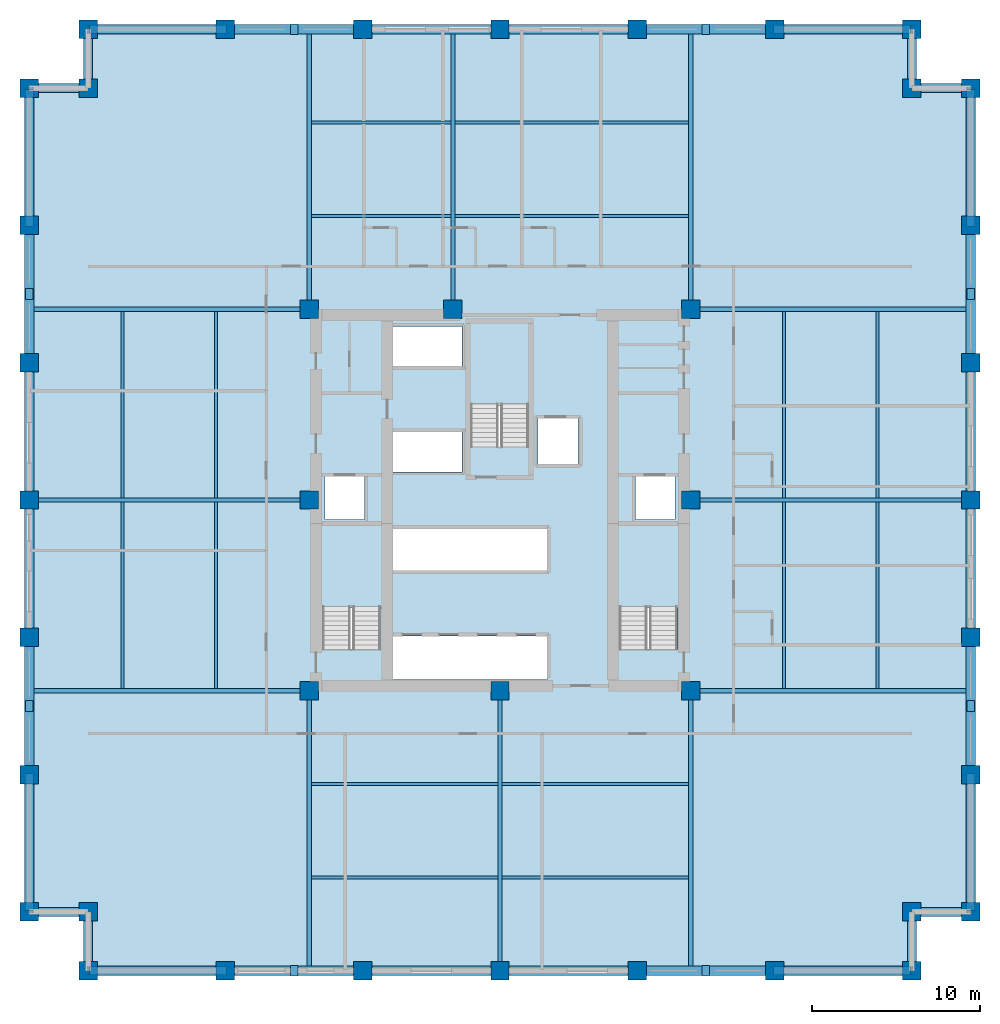
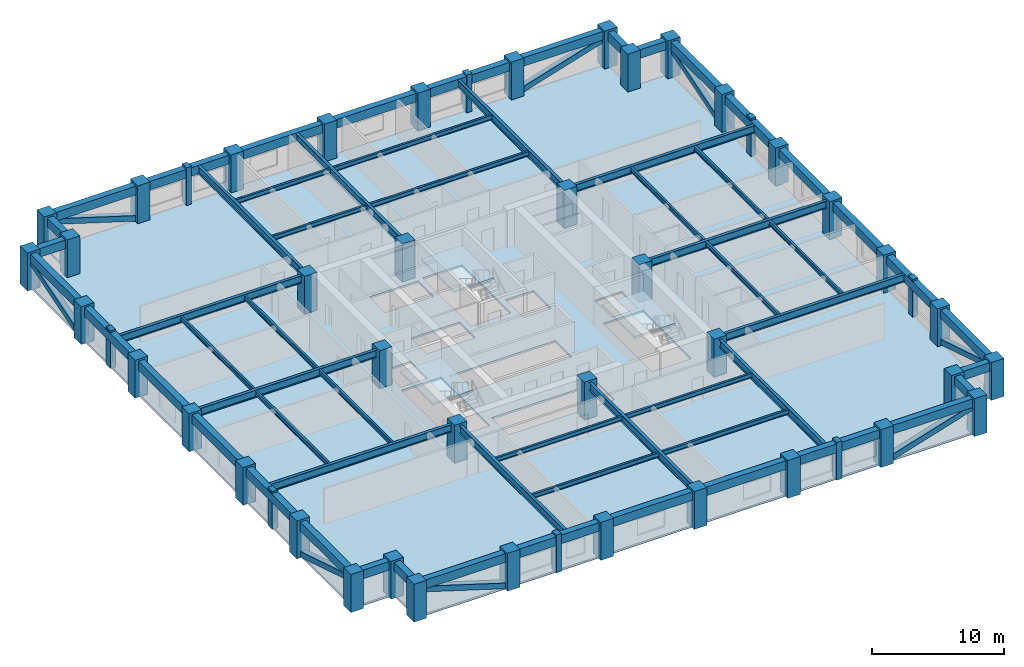
# One storey, part 1 of 7: 60 beams, 40 columns, 16 members, 4 slabs, 3 elements without a shape of their own.
"""IFC4 building model written with IfcOpenShell, lengths in metres."""

from ifc_helpers import new_model, si_unit, direction, frame, origin, origin_2d, place, context, subcontext, project, spatial, polyline, rectangle, hollow_rectangle, i_section, outline, extrude, material, layer, layer_set, material_profile, profile_set, type_object, element, aggregate, save


model = new_model("IFC4")

# Units and contexts
model_context = context("Model", 3, precision=1e-05, world=origin(), true_north=direction((0.0, 1.0)))
body_context = subcontext(model_context, "Body", "Model", "MODEL_VIEW")
ifc_project = project(units=[si_unit("LENGTHUNIT", "METRE"), si_unit("AREAUNIT", "SQUARE_METRE"), si_unit("VOLUMEUNIT", "CUBIC_METRE"), si_unit("PLANEANGLEUNIT", "RADIAN"), si_unit("MASSUNIT", "GRAM", prefix="KILO")], contexts=[model_context])

# Site, building, storey
site_placement = place(None, origin())
site = spatial("IfcSite", under=ifc_project, at=site_placement, CompositionType="ELEMENT")
building_placement = place(site_placement, origin())
building = spatial("IfcBuilding", under=site, at=building_placement, Name="Nhamokura Convention Tower", CompositionType="ELEMENT")
storey_placement = place(building_placement, frame((0.0, 0.0, 52.85009765625)))
storey = spatial("IfcBuildingStorey", under=building, at=storey_placement, Name="L11", CompositionType="ELEMENT", Elevation=52.85009765625)

# Columns
ifc_material_1 = material(Name="Concrete C60/75", Category="concrete")
ifc_material_profile_1 = material_profile(ifc_material_1, rectangle(XDim=1.10009765625, YDim=1.10009765625, at=origin_2d()))
ifc_profile_set_1 = profile_set([ifc_material_profile_1], Name="Concrete C60/75")
column_type = type_object("IfcColumnType", Name="TubeColumn_Z1_1100", PredefinedType="COLUMN", material=ifc_profile_set_1)
for number, where, z_axis, x_axis, name in (
    (1, (20.64990234375, 20.64990234375, 0.0), (0.0, 0.0, 1.0), (1.0, 0.0, 0.0), "L11 Core Column CC-SW"),
    (2, (32.0, 20.64990234375, 0.0), (0.0, 0.0, 1.0), (1.0, 0.0, 0.0), "L11 Core Column CC-S"),
    (3, (43.35009765625, 20.64990234375, 0.0), (0.0, 0.0, 1.0), (1.0, 0.0, 0.0), "L11 Core Column CC-SE"),
    (4, (43.35009765625, 32.0, 0.0), (0.0, 0.0, 1.0), (1.0, 0.0, 0.0), "L11 Core Column CC-E"),
    (5, (43.35009765625, 43.35009765625, 0.0), (0.0, 0.0, 1.0), (1.0, 0.0, 0.0), "L11 Core Column CC-NE"),
    (6, (29.199951171875, 43.35009765625, 0.0), (0.0, 0.0, 1.0), (1.0, 0.0, 0.0), "L11 Core Column CC-N"),
    (7, (20.64990234375, 43.35009765625, 0.0), (0.0, 0.0, 1.0), (1.0, 0.0, 0.0), "L11 Core Column CC-NW"),
    (8, (20.64990234375, 32.0, 0.0), (0.0, 0.0, 1.0), (1.0, 0.0, 0.0), "L11 Core Column CC-W"),
    (9, (7.5, 4.0, 0.0), (0.0, 0.0, 1.0), (1.0, 0.0, 0.0), "L11 Perimeter Tube Column SW1"),
    (10, (7.5, 7.5, 0.0), (0.0, 0.0, 1.0), (1.0, 0.0, 0.0), "L11 Perimeter Tube Column SW0"),
    (11, (4.0, 7.5, 0.0), (0.0, 0.0, 1.0), (1.0, 0.0, 0.0), "L11 Perimeter Tube Column SW2"),
    (12, (56.5, 4.0, 0.0), (0.0, 0.0, 1.0), (1.0, 0.0, 0.0), "L11 Perimeter Tube Column SE1"),
    (13, (56.5, 7.5, 0.0), (0.0, 0.0, 1.0), (1.0, 0.0, 0.0), "L11 Perimeter Tube Column SE0"),
    (14, (60.0, 7.5, 0.0), (0.0, 0.0, 1.0), (1.0, 0.0, 0.0), "L11 Perimeter Tube Column SE2"),
    (15, (60.0, 56.5, 0.0), (0.0, 0.0, 1.0), (1.0, 0.0, 0.0), "L11 Perimeter Tube Column NE1"),
    (16, (56.5, 56.5, 0.0), (0.0, 0.0, 1.0), (1.0, 0.0, 0.0), "L11 Perimeter Tube Column NE0"),
    (17, (56.5, 60.0, 0.0), (0.0, 0.0, 1.0), (1.0, 0.0, 0.0), "L11 Perimeter Tube Column NE2"),
    (18, (7.5, 60.0, 0.0), (0.0, 0.0, 1.0), (1.0, 0.0, 0.0), "L11 Perimeter Tube Column NW1"),
    (19, (7.5, 56.5, 0.0), (0.0, 0.0, 1.0), (1.0, 0.0, 0.0), "L11 Perimeter Tube Column NW0"),
    (20, (4.0, 56.5, 0.0), (0.0, 0.0, 1.0), (1.0, 0.0, 0.0), "L11 Perimeter Tube Column NW2"),
    (21, (15.666748046875, 4.0, 0.0), (0.0, 0.0, 1.0), (1.0, 0.0, 0.0), "L11 Perimeter Tube Column S1"),
    (22, (15.666748046875, 60.0, 0.0), (0.0, 0.0, 1.0), (1.0, 0.0, 0.0), "L11 Perimeter Tube Column N1"),
    (23, (4.0, 15.666748046875, 0.0), (0.0, 0.0, 1.0), (1.0, 0.0, 0.0), "L11 Perimeter Tube Column W1"),
    (24, (60.0, 15.666748046875, 0.0), (0.0, 0.0, 1.0), (1.0, 0.0, 0.0), "L11 Perimeter Tube Column E1"),
    (25, (23.833251953125, 4.0, 0.0), (0.0, 0.0, 1.0), (1.0, 0.0, 0.0), "L11 Perimeter Tube Column S2"),
    (26, (23.833251953125, 60.0, 0.0), (0.0, 0.0, 1.0), (1.0, 0.0, 0.0), "L11 Perimeter Tube Column N2"),
    (27, (4.0, 23.833251953125, 0.0), (0.0, 0.0, 1.0), (1.0, 0.0, 0.0), "L11 Perimeter Tube Column W2"),
    (28, (60.0, 23.833251953125, 0.0), (0.0, 0.0, 1.0), (1.0, 0.0, 0.0), "L11 Perimeter Tube Column E2"),
    (29, (32.0, 4.0, 0.0), (0.0, 0.0, 1.0), (1.0, 0.0, 0.0), "L11 Perimeter Tube Column S3"),
    (30, (32.0, 60.0, 0.0), (0.0, 0.0, 1.0), (1.0, 0.0, 0.0), "L11 Perimeter Tube Column N3"),
    (31, (4.0, 32.0, 0.0), (0.0, 0.0, 1.0), (1.0, 0.0, 0.0), "L11 Perimeter Tube Column W3"),
    (32, (60.0, 32.0, 0.0), (0.0, 0.0, 1.0), (1.0, 0.0, 0.0), "L11 Perimeter Tube Column E3"),
    (33, (40.166748046875, 4.0, 0.0), (0.0, 0.0, 1.0), (1.0, 0.0, 0.0), "L11 Perimeter Tube Column S4"),
    (34, (40.166748046875, 60.0, 0.0), (0.0, 0.0, 1.0), (1.0, 0.0, 0.0), "L11 Perimeter Tube Column N4"),
    (35, (4.0, 40.166748046875, 0.0), (0.0, 0.0, 1.0), (1.0, 0.0, 0.0), "L11 Perimeter Tube Column W4"),
    (36, (60.0, 40.166748046875, 0.0), (0.0, 0.0, 1.0), (1.0, 0.0, 0.0), "L11 Perimeter Tube Column E4"),
    (37, (48.333251953125, 4.0, 0.0), (0.0, 0.0, 1.0), (1.0, 0.0, 0.0), "L11 Perimeter Tube Column S5"),
    (38, (48.333251953125, 60.0, 0.0), (0.0, 0.0, 1.0), (1.0, 0.0, 0.0), "L11 Perimeter Tube Column N5"),
    (39, (4.0, 48.333251953125, 0.0), (0.0, 0.0, 1.0), (1.0, 0.0, 0.0), "L11 Perimeter Tube Column W5"),
    (40, (60.0, 48.333251953125, 0.0), (0.0, 0.0, 1.0), (1.0, 0.0, 0.0), "L11 Perimeter Tube Column E5"),
):
    element("IfcColumn", number, at=place(storey_placement, frame(where, z_axis=z_axis, x_axis=x_axis)), inside=storey, type_object=column_type, Name=name, PredefinedType="COLUMN", context=body_context, shape_type="SweptSolid", body=[
        extrude(rectangle(XDim=1.10009765625, YDim=1.10009765625, at=origin_2d()), origin(), (0.0, 0.0, 1.0), 3.5),
    ])

# Members
ifc_material_2 = material(Name="Bronze-pigmented precast concrete C45/55", Category="concrete")
ifc_material_profile_2 = material_profile(ifc_material_2, rectangle(XDim=0.449951171875, YDim=0.64990234375, at=origin_2d()))
ifc_profile_set_2 = profile_set([ifc_material_profile_2], Name="Bronze-pigmented precast concrete C45/55")
member_type_1 = type_object("IfcMemberType", Name="BronzePilaster_650", PredefinedType="USERDEFINED", material=ifc_profile_set_2)
for number, where, z_axis, x_axis, name in (
    (41, (19.75, 4.0, 0.0), (0.0, 0.0, 1.0), (1.0, 0.0, 0.0), "L11 Engaged Frame Pilaster SOUTH 1"),
    (42, (44.25, 4.0, 0.0), (0.0, 0.0, 1.0), (1.0, 0.0, 0.0), "L11 Engaged Frame Pilaster SOUTH 4"),
    (43, (19.75, 60.0, 0.0), (0.0, 0.0, 1.0), (1.0, 0.0, 0.0), "L11 Engaged Frame Pilaster NORTH 1"),
    (44, (44.25, 60.0, 0.0), (0.0, 0.0, 1.0), (1.0, 0.0, 0.0), "L11 Engaged Frame Pilaster NORTH 4"),
    (45, (4.0, 19.75, 0.0), (0.0, 0.0, 1.0), (1.0, 0.0, 0.0), "L11 Engaged Frame Pilaster WEST 1"),
    (46, (4.0, 44.25, 0.0), (0.0, 0.0, 1.0), (1.0, 0.0, 0.0), "L11 Engaged Frame Pilaster WEST 4"),
    (47, (60.0, 19.75, 0.0), (0.0, 0.0, 1.0), (1.0, 0.0, 0.0), "L11 Engaged Frame Pilaster EAST 1"),
    (48, (60.0, 44.25, 0.0), (0.0, 0.0, 1.0), (1.0, 0.0, 0.0), "L11 Engaged Frame Pilaster EAST 4"),
):
    element("IfcMember", number, at=place(storey_placement, frame(where, z_axis=z_axis, x_axis=x_axis)), inside=storey, type_object=member_type_1, Name=name, ObjectType="PILASTER_TRIM", PredefinedType="USERDEFINED", context=body_context, shape_type="SweptSolid", body=[
        extrude(rectangle(XDim=0.449951171875, YDim=0.64990234375, at=origin_2d()), origin(), (0.0, 0.0, 1.0), 3.5),
    ])

# Beams
ifc_material_3 = material(Name="Steel ASTM A992 Gr 50", Category="steel")
ifc_material_profile_3 = material_profile(ifc_material_3, i_section(OverallWidth=0.178955078125, OverallDepth=0.409912109375, WebThickness=0.0087890625, FlangeThickness=0.014404296875, at=origin_2d()))
ifc_profile_set_3 = profile_set([ifc_material_profile_3], Name="Steel ASTM A992 Gr 50")
beam_type_1 = type_object("IfcBeamType", Name="FloorJoist_W410X67", PredefinedType="JOIST", material=ifc_profile_set_3)
for number, where, z_axis, x_axis, name in (
    (49, (20.77587890625, 9.550048828125, 3.114990234375), (1.0, 0.0, 0.0), (0.0, 1.0, 0.0), "L11 Composite Floor Joist S1A"),
    (50, (32.1259765625, 9.550048828125, 3.114990234375), (1.0, 0.0, 0.0), (0.0, 1.0, 0.0), "L11 Composite Floor Joist S1B"),
    (51, (20.77587890625, 15.10009765625, 3.114990234375), (1.0, 0.0, 0.0), (0.0, 1.0, 0.0), "L11 Composite Floor Joist S2A"),
    (52, (32.1259765625, 15.10009765625, 3.114990234375), (1.0, 0.0, 0.0), (0.0, 1.0, 0.0), "L11 Composite Floor Joist S2B"),
):
    element("IfcBeam", number, at=place(storey_placement, frame(where, z_axis=z_axis, x_axis=x_axis)), inside=storey, type_object=beam_type_1, Name=name, PredefinedType="JOIST", context=body_context, shape_type="SweptSolid", body=[
        extrude(i_section(OverallWidth=0.178955078125, OverallDepth=0.409912109375, WebThickness=0.0087890625, FlangeThickness=0.014404296875, at=origin_2d()), origin(), (0.0, 0.0, 1.0), 11.09814453125),
    ])
beam_1_placement = place(storey_placement, frame((20.77587890625, 48.89990234375, 3.114990234375), z_axis=(1.0, 0.0, 0.0), x_axis=(0.0, 1.0, 0.0)))
element("IfcBeam", 53, at=beam_1_placement, inside=storey, type_object=beam_type_1, Name="L11 Composite Floor Joist N1A", PredefinedType="JOIST", context=body_context, shape_type="SweptSolid", body=[
    extrude(i_section(OverallWidth=0.178955078125, OverallDepth=0.409912109375, WebThickness=0.0087890625, FlangeThickness=0.014404296875, at=origin_2d()), origin(), (0.0, 0.0, 1.0), 8.298095703125),
])
beam_2_placement = place(storey_placement, frame((29.325927734375, 48.89990234375, 3.114990234375), z_axis=(1.0, 0.0, 0.0), x_axis=(0.0, 1.0, 0.0)))
element("IfcBeam", 54, at=beam_2_placement, inside=storey, type_object=beam_type_1, Name="L11 Composite Floor Joist N1B", PredefinedType="JOIST", context=body_context, shape_type="SweptSolid", body=[
    extrude(i_section(OverallWidth=0.178955078125, OverallDepth=0.409912109375, WebThickness=0.0087890625, FlangeThickness=0.014404296875, at=origin_2d()), origin(), (0.0, 0.0, 1.0), 13.898193359375),
])
beam_3_placement = place(storey_placement, frame((20.77587890625, 54.449951171875, 3.114990234375), z_axis=(1.0, 0.0, 0.0), x_axis=(0.0, 1.0, 0.0)))
element("IfcBeam", 55, at=beam_3_placement, inside=storey, type_object=beam_type_1, Name="L11 Composite Floor Joist N2A", PredefinedType="JOIST", context=body_context, shape_type="SweptSolid", body=[
    extrude(i_section(OverallWidth=0.178955078125, OverallDepth=0.409912109375, WebThickness=0.0087890625, FlangeThickness=0.014404296875, at=origin_2d()), origin(), (0.0, 0.0, 1.0), 8.298095703125),
])
beam_4_placement = place(storey_placement, frame((29.325927734375, 54.449951171875, 3.114990234375), z_axis=(1.0, 0.0, 0.0), x_axis=(0.0, 1.0, 0.0)))
element("IfcBeam", 56, at=beam_4_placement, inside=storey, type_object=beam_type_1, Name="L11 Composite Floor Joist N2B", PredefinedType="JOIST", context=body_context, shape_type="SweptSolid", body=[
    extrude(i_section(OverallWidth=0.178955078125, OverallDepth=0.409912109375, WebThickness=0.0087890625, FlangeThickness=0.014404296875, at=origin_2d()), origin(), (0.0, 0.0, 1.0), 13.898193359375),
])
for number, where, z_axis, x_axis, name in (
    (57, (9.550048828125, 20.77587890625, 3.114990234375), (0.0, 1.0, 0.0), (-1.0, 0.0, 0.0), "L11 Composite Floor Joist W1A"),
    (58, (9.550048828125, 32.1259765625, 3.114990234375), (0.0, 1.0, 0.0), (-1.0, 0.0, 0.0), "L11 Composite Floor Joist W1B"),
    (59, (15.10009765625, 20.77587890625, 3.114990234375), (0.0, 1.0, 0.0), (-1.0, 0.0, 0.0), "L11 Composite Floor Joist W2A"),
    (60, (15.10009765625, 32.1259765625, 3.114990234375), (0.0, 1.0, 0.0), (-1.0, 0.0, 0.0), "L11 Composite Floor Joist W2B"),
    (61, (48.89990234375, 20.77587890625, 3.114990234375), (0.0, 1.0, 0.0), (-1.0, 0.0, 0.0), "L11 Composite Floor Joist E1A"),
    (62, (48.89990234375, 32.1259765625, 3.114990234375), (0.0, 1.0, 0.0), (-1.0, 0.0, 0.0), "L11 Composite Floor Joist E1B"),
    (63, (54.449951171875, 20.77587890625, 3.114990234375), (0.0, 1.0, 0.0), (-1.0, 0.0, 0.0), "L11 Composite Floor Joist E2A"),
    (64, (54.449951171875, 32.1259765625, 3.114990234375), (0.0, 1.0, 0.0), (-1.0, 0.0, 0.0), "L11 Composite Floor Joist E2B"),
):
    element("IfcBeam", number, at=place(storey_placement, frame(where, z_axis=z_axis, x_axis=x_axis)), inside=storey, type_object=beam_type_1, Name=name, PredefinedType="JOIST", context=body_context, shape_type="SweptSolid", body=[
        extrude(i_section(OverallWidth=0.178955078125, OverallDepth=0.409912109375, WebThickness=0.0087890625, FlangeThickness=0.014404296875, at=origin_2d()), origin(), (0.0, 0.0, 1.0), 11.09814453125),
    ])
ifc_material_4 = material(Name="Steel ASTM A992 Gr 50", Category="steel")
ifc_material_profile_4 = material_profile(ifc_material_4, i_section(OverallWidth=0.256103515625, OverallDepth=0.693115234375, WebThickness=0.014404296875, FlangeThickness=0.023681640625, at=origin_2d()))
ifc_profile_set_4 = profile_set([ifc_material_profile_4], Name="Steel ASTM A992 Gr 50")
beam_type_2 = type_object("IfcBeamType", Name="PrimaryGirder_W690X170", PredefinedType="BEAM", material=ifc_profile_set_4)
for number, where, z_axis, x_axis, name in (
    (65, (20.64990234375, 4.0, 2.973388671875), (0.0, 1.0, 0.0), (-1.0, 0.0, 0.0), "L11 Primary Floor Girder PG-S1"),
    (66, (32.0, 4.0, 2.973388671875), (0.0, 1.0, 0.0), (-1.0, 0.0, 0.0), "L11 Primary Floor Girder PG-S2"),
    (67, (43.35009765625, 4.0, 2.973388671875), (0.0, 1.0, 0.0), (-1.0, 0.0, 0.0), "L11 Primary Floor Girder PG-S3"),
    (68, (20.64990234375, 43.35009765625, 2.973388671875), (0.0, 1.0, 0.0), (-1.0, 0.0, 0.0), "L11 Primary Floor Girder PG-N1"),
    (69, (29.199951171875, 43.35009765625, 2.973388671875), (0.0, 1.0, 0.0), (-1.0, 0.0, 0.0), "L11 Primary Floor Girder PG-N2"),
    (70, (43.35009765625, 43.35009765625, 2.973388671875), (0.0, 1.0, 0.0), (-1.0, 0.0, 0.0), "L11 Primary Floor Girder PG-N3"),
    (71, (4.0, 20.64990234375, 2.973388671875), (1.0, 0.0, 0.0), (0.0, 1.0, 0.0), "L11 Primary Floor Girder PG-W1"),
    (72, (4.0, 32.0, 2.973388671875), (1.0, 0.0, 0.0), (0.0, 1.0, 0.0), "L11 Primary Floor Girder PG-W2"),
    (73, (4.0, 43.35009765625, 2.973388671875), (1.0, 0.0, 0.0), (0.0, 1.0, 0.0), "L11 Primary Floor Girder PG-W3"),
    (74, (43.35009765625, 20.64990234375, 2.973388671875), (1.0, 0.0, 0.0), (0.0, 1.0, 0.0), "L11 Primary Floor Girder PG-E1"),
    (75, (43.35009765625, 32.0, 2.973388671875), (1.0, 0.0, 0.0), (0.0, 1.0, 0.0), "L11 Primary Floor Girder PG-E2"),
    (76, (43.35009765625, 43.35009765625, 2.973388671875), (1.0, 0.0, 0.0), (0.0, 1.0, 0.0), "L11 Primary Floor Girder PG-E3"),
):
    element("IfcBeam", number, at=place(storey_placement, frame(where, z_axis=z_axis, x_axis=x_axis)), inside=storey, type_object=beam_type_2, Name=name, PredefinedType="BEAM", context=body_context, shape_type="SweptSolid", body=[
        extrude(i_section(OverallWidth=0.256103515625, OverallDepth=0.693115234375, WebThickness=0.014404296875, FlangeThickness=0.023681640625, at=origin_2d()), origin(), (0.0, 0.0, 1.0), 16.64990234375),
    ])

# Members
ifc_material_5 = material(Name="Steel ASTM A572 Gr 50", Category="steel")
ifc_material_profile_5 = material_profile(ifc_material_5, hollow_rectangle(XDim=0.5, YDim=0.5, WallThickness=0.02490234375, at=origin_2d()))
ifc_profile_set_5 = profile_set([ifc_material_profile_5], Name="Steel ASTM A572 Gr 50")
member_type_2 = type_object("IfcMemberType", Name="TubeBrace_HSS500", PredefinedType="BRACE", material=ifc_profile_set_5)
for number, where, z_axis, x_axis, name in (
    (77, (15.666748046875, 4.0, 0.14990234375), (-0.955542765986, 0.0, 0.294852543437), (0.0, -1.0, 0.0), "L11 Perimeter Tube Brace SOUTH Bay 0"),
    (78, (48.333251953125, 4.0, 0.14990234375), (0.955542765986, 0.0, 0.294852543437), (0.0, 1.0, 0.0), "L11 Perimeter Tube Brace SOUTH Bay 5"),
    (79, (15.666748046875, 60.0, 0.14990234375), (-0.955542765986, 0.0, 0.294852543437), (0.0, -1.0, 0.0), "L11 Perimeter Tube Brace NORTH Bay 0"),
    (80, (48.333251953125, 60.0, 0.14990234375), (0.955542765986, 0.0, 0.294852543437), (0.0, 1.0, 0.0), "L11 Perimeter Tube Brace NORTH Bay 5"),
    (81, (4.0, 15.666748046875, 0.14990234375), (0.0, -0.955542765986, 0.294852543437), (1.0, 0.0, 0.0), "L11 Perimeter Tube Brace WEST Bay 0"),
    (82, (4.0, 48.333251953125, 0.14990234375), (0.0, 0.955542765986, 0.294852543437), (-1.0, 0.0, 0.0), "L11 Perimeter Tube Brace WEST Bay 5"),
    (83, (60.0, 15.666748046875, 0.14990234375), (0.0, -0.955542765986, 0.294852543437), (1.0, 0.0, 0.0), "L11 Perimeter Tube Brace EAST Bay 0"),
    (84, (60.0, 48.333251953125, 0.14990234375), (0.0, 0.955542765986, 0.294852543437), (-1.0, 0.0, 0.0), "L11 Perimeter Tube Brace EAST Bay 5"),
):
    element("IfcMember", number, at=place(storey_placement, frame(where, z_axis=z_axis, x_axis=x_axis)), inside=storey, type_object=member_type_2, Name=name, PredefinedType="BRACE", context=body_context, shape_type="SweptSolid", body=[
        extrude(hollow_rectangle(XDim=0.5, YDim=0.5, WallThickness=0.02490234375, at=origin_2d()), origin(), (0.0, 0.0, 1.0), 8.546630859375),
    ])

# Beams
ifc_material_6 = material(Name="Concrete C50/60", Category="concrete")
ifc_material_profile_6 = material_profile(ifc_material_6, rectangle(XDim=0.550048828125, YDim=0.800048828125, at=origin_2d()))
ifc_profile_set_6 = profile_set([ifc_material_profile_6], Name="Concrete C50/60")
beam_type_3 = type_object("IfcBeamType", Name="TubeSpandrel_800", PredefinedType="SPANDREL", material=ifc_profile_set_6)
beam_5_placement = place(storey_placement, frame((7.5, 4.0, 2.919921875), z_axis=(1.0, 0.0, 0.0), x_axis=(0.0, 1.0, 0.0)))
element("IfcBeam", 85, at=beam_5_placement, inside=storey, type_object=beam_type_3, Name="L11 Perimeter Spandrel SOUTH 1", PredefinedType="SPANDREL", context=body_context, shape_type="SweptSolid", body=[
    extrude(rectangle(XDim=0.550048828125, YDim=0.800048828125, at=origin_2d()), origin(), (0.0, 0.0, 1.0), 8.166748046875),
])
beam_6_placement = place(storey_placement, frame((15.666748046875, 4.0, 2.919921875), z_axis=(1.0, 0.0, 0.0), x_axis=(0.0, 1.0, 0.0)))
element("IfcBeam", 86, at=beam_6_placement, inside=storey, type_object=beam_type_3, Name="L11 Perimeter Spandrel SOUTH 2", PredefinedType="SPANDREL", context=body_context, shape_type="SweptSolid", body=[
    extrude(rectangle(XDim=0.550048828125, YDim=0.800048828125, at=origin_2d()), origin(), (0.0, 0.0, 1.0), 8.16650390625),
])
for number, where, z_axis, x_axis, name in (
    (87, (23.833251953125, 4.0, 2.919921875), (1.0, 0.0, 0.0), (0.0, 1.0, 0.0), "L11 Perimeter Spandrel SOUTH 3"),
    (88, (32.0, 4.0, 2.919921875), (1.0, 0.0, 0.0), (0.0, 1.0, 0.0), "L11 Perimeter Spandrel SOUTH 4"),
):
    element("IfcBeam", number, at=place(storey_placement, frame(where, z_axis=z_axis, x_axis=x_axis)), inside=storey, type_object=beam_type_3, Name=name, PredefinedType="SPANDREL", context=body_context, shape_type="SweptSolid", body=[
        extrude(rectangle(XDim=0.550048828125, YDim=0.800048828125, at=origin_2d()), origin(), (0.0, 0.0, 1.0), 8.166748046875),
    ])
beam_7_placement = place(storey_placement, frame((40.166748046875, 4.0, 2.919921875), z_axis=(1.0, 0.0, 0.0), x_axis=(0.0, 1.0, 0.0)))
element("IfcBeam", 89, at=beam_7_placement, inside=storey, type_object=beam_type_3, Name="L11 Perimeter Spandrel SOUTH 5", PredefinedType="SPANDREL", context=body_context, shape_type="SweptSolid", body=[
    extrude(rectangle(XDim=0.550048828125, YDim=0.800048828125, at=origin_2d()), origin(), (0.0, 0.0, 1.0), 8.16650390625),
])
for number, where, z_axis, x_axis, name in (
    (90, (48.333251953125, 4.0, 2.919921875), (1.0, 0.0, 0.0), (0.0, 1.0, 0.0), "L11 Perimeter Spandrel SOUTH 6"),
    (91, (7.5, 60.0, 2.919921875), (1.0, 0.0, 0.0), (0.0, 1.0, 0.0), "L11 Perimeter Spandrel NORTH 1"),
):
    element("IfcBeam", number, at=place(storey_placement, frame(where, z_axis=z_axis, x_axis=x_axis)), inside=storey, type_object=beam_type_3, Name=name, PredefinedType="SPANDREL", context=body_context, shape_type="SweptSolid", body=[
        extrude(rectangle(XDim=0.550048828125, YDim=0.800048828125, at=origin_2d()), origin(), (0.0, 0.0, 1.0), 8.166748046875),
    ])
beam_8_placement = place(storey_placement, frame((15.666748046875, 60.0, 2.919921875), z_axis=(1.0, 0.0, 0.0), x_axis=(0.0, 1.0, 0.0)))
element("IfcBeam", 92, at=beam_8_placement, inside=storey, type_object=beam_type_3, Name="L11 Perimeter Spandrel NORTH 2", PredefinedType="SPANDREL", context=body_context, shape_type="SweptSolid", body=[
    extrude(rectangle(XDim=0.550048828125, YDim=0.800048828125, at=origin_2d()), origin(), (0.0, 0.0, 1.0), 8.16650390625),
])
for number, where, z_axis, x_axis, name in (
    (93, (23.833251953125, 60.0, 2.919921875), (1.0, 0.0, 0.0), (0.0, 1.0, 0.0), "L11 Perimeter Spandrel NORTH 3"),
    (94, (32.0, 60.0, 2.919921875), (1.0, 0.0, 0.0), (0.0, 1.0, 0.0), "L11 Perimeter Spandrel NORTH 4"),
):
    element("IfcBeam", number, at=place(storey_placement, frame(where, z_axis=z_axis, x_axis=x_axis)), inside=storey, type_object=beam_type_3, Name=name, PredefinedType="SPANDREL", context=body_context, shape_type="SweptSolid", body=[
        extrude(rectangle(XDim=0.550048828125, YDim=0.800048828125, at=origin_2d()), origin(), (0.0, 0.0, 1.0), 8.166748046875),
    ])
beam_9_placement = place(storey_placement, frame((40.166748046875, 60.0, 2.919921875), z_axis=(1.0, 0.0, 0.0), x_axis=(0.0, 1.0, 0.0)))
element("IfcBeam", 95, at=beam_9_placement, inside=storey, type_object=beam_type_3, Name="L11 Perimeter Spandrel NORTH 5", PredefinedType="SPANDREL", context=body_context, shape_type="SweptSolid", body=[
    extrude(rectangle(XDim=0.550048828125, YDim=0.800048828125, at=origin_2d()), origin(), (0.0, 0.0, 1.0), 8.16650390625),
])
for number, where, z_axis, x_axis, name in (
    (96, (48.333251953125, 60.0, 2.919921875), (1.0, 0.0, 0.0), (0.0, 1.0, 0.0), "L11 Perimeter Spandrel NORTH 6"),
    (97, (4.0, 7.5, 2.919921875), (0.0, 1.0, 0.0), (-1.0, 0.0, 0.0), "L11 Perimeter Spandrel WEST 1"),
):
    element("IfcBeam", number, at=place(storey_placement, frame(where, z_axis=z_axis, x_axis=x_axis)), inside=storey, type_object=beam_type_3, Name=name, PredefinedType="SPANDREL", context=body_context, shape_type="SweptSolid", body=[
        extrude(rectangle(XDim=0.550048828125, YDim=0.800048828125, at=origin_2d()), origin(), (0.0, 0.0, 1.0), 8.166748046875),
    ])
beam_10_placement = place(storey_placement, frame((4.0, 15.666748046875, 2.919921875), z_axis=(0.0, 1.0, 0.0), x_axis=(-1.0, 0.0, 0.0)))
element("IfcBeam", 98, at=beam_10_placement, inside=storey, type_object=beam_type_3, Name="L11 Perimeter Spandrel WEST 2", PredefinedType="SPANDREL", context=body_context, shape_type="SweptSolid", body=[
    extrude(rectangle(XDim=0.550048828125, YDim=0.800048828125, at=origin_2d()), origin(), (0.0, 0.0, 1.0), 8.16650390625),
])
for number, where, z_axis, x_axis, name in (
    (99, (4.0, 23.833251953125, 2.919921875), (0.0, 1.0, 0.0), (-1.0, 0.0, 0.0), "L11 Perimeter Spandrel WEST 3"),
    (100, (4.0, 32.0, 2.919921875), (0.0, 1.0, 0.0), (-1.0, 0.0, 0.0), "L11 Perimeter Spandrel WEST 4"),
):
    element("IfcBeam", number, at=place(storey_placement, frame(where, z_axis=z_axis, x_axis=x_axis)), inside=storey, type_object=beam_type_3, Name=name, PredefinedType="SPANDREL", context=body_context, shape_type="SweptSolid", body=[
        extrude(rectangle(XDim=0.550048828125, YDim=0.800048828125, at=origin_2d()), origin(), (0.0, 0.0, 1.0), 8.166748046875),
    ])
beam_11_placement = place(storey_placement, frame((4.0, 40.166748046875, 2.919921875), z_axis=(0.0, 1.0, 0.0), x_axis=(-1.0, 0.0, 0.0)))
element("IfcBeam", 101, at=beam_11_placement, inside=storey, type_object=beam_type_3, Name="L11 Perimeter Spandrel WEST 5", PredefinedType="SPANDREL", context=body_context, shape_type="SweptSolid", body=[
    extrude(rectangle(XDim=0.550048828125, YDim=0.800048828125, at=origin_2d()), origin(), (0.0, 0.0, 1.0), 8.16650390625),
])
for number, where, z_axis, x_axis, name in (
    (102, (4.0, 48.333251953125, 2.919921875), (0.0, 1.0, 0.0), (-1.0, 0.0, 0.0), "L11 Perimeter Spandrel WEST 6"),
    (103, (60.0, 7.5, 2.919921875), (0.0, 1.0, 0.0), (-1.0, 0.0, 0.0), "L11 Perimeter Spandrel EAST 1"),
):
    element("IfcBeam", number, at=place(storey_placement, frame(where, z_axis=z_axis, x_axis=x_axis)), inside=storey, type_object=beam_type_3, Name=name, PredefinedType="SPANDREL", context=body_context, shape_type="SweptSolid", body=[
        extrude(rectangle(XDim=0.550048828125, YDim=0.800048828125, at=origin_2d()), origin(), (0.0, 0.0, 1.0), 8.166748046875),
    ])
beam_12_placement = place(storey_placement, frame((60.0, 15.666748046875, 2.919921875), z_axis=(0.0, 1.0, 0.0), x_axis=(-1.0, 0.0, 0.0)))
element("IfcBeam", 104, at=beam_12_placement, inside=storey, type_object=beam_type_3, Name="L11 Perimeter Spandrel EAST 2", PredefinedType="SPANDREL", context=body_context, shape_type="SweptSolid", body=[
    extrude(rectangle(XDim=0.550048828125, YDim=0.800048828125, at=origin_2d()), origin(), (0.0, 0.0, 1.0), 8.16650390625),
])
for number, where, z_axis, x_axis, name in (
    (105, (60.0, 23.833251953125, 2.919921875), (0.0, 1.0, 0.0), (-1.0, 0.0, 0.0), "L11 Perimeter Spandrel EAST 3"),
    (106, (60.0, 32.0, 2.919921875), (0.0, 1.0, 0.0), (-1.0, 0.0, 0.0), "L11 Perimeter Spandrel EAST 4"),
):
    element("IfcBeam", number, at=place(storey_placement, frame(where, z_axis=z_axis, x_axis=x_axis)), inside=storey, type_object=beam_type_3, Name=name, PredefinedType="SPANDREL", context=body_context, shape_type="SweptSolid", body=[
        extrude(rectangle(XDim=0.550048828125, YDim=0.800048828125, at=origin_2d()), origin(), (0.0, 0.0, 1.0), 8.166748046875),
    ])
beam_13_placement = place(storey_placement, frame((60.0, 40.166748046875, 2.919921875), z_axis=(0.0, 1.0, 0.0), x_axis=(-1.0, 0.0, 0.0)))
element("IfcBeam", 107, at=beam_13_placement, inside=storey, type_object=beam_type_3, Name="L11 Perimeter Spandrel EAST 5", PredefinedType="SPANDREL", context=body_context, shape_type="SweptSolid", body=[
    extrude(rectangle(XDim=0.550048828125, YDim=0.800048828125, at=origin_2d()), origin(), (0.0, 0.0, 1.0), 8.16650390625),
])
beam_14_placement = place(storey_placement, frame((60.0, 48.333251953125, 2.919921875), z_axis=(0.0, 1.0, 0.0), x_axis=(-1.0, 0.0, 0.0)))
element("IfcBeam", 108, at=beam_14_placement, inside=storey, type_object=beam_type_3, Name="L11 Perimeter Spandrel EAST 6", PredefinedType="SPANDREL", context=body_context, shape_type="SweptSolid", body=[
    extrude(rectangle(XDim=0.550048828125, YDim=0.800048828125, at=origin_2d()), origin(), (0.0, 0.0, 1.0), 8.166748046875),
])
for number, where, z_axis, x_axis, name in (
    (109, (7.5, 4.0, 2.919921875), (0.0, 1.0, 0.0), (-1.0, 0.0, 0.0), "L11 Notch Spandrel SW1"),
    (110, (7.5, 7.5, 2.919921875), (-1.0, 0.0, 0.0), (0.0, -1.0, 0.0), "L11 Notch Spandrel SW2"),
    (111, (56.5, 4.0, 2.919921875), (0.0, 1.0, 0.0), (-1.0, 0.0, 0.0), "L11 Notch Spandrel SE1"),
    (112, (56.5, 7.5, 2.919921875), (1.0, 0.0, 0.0), (0.0, 1.0, 0.0), "L11 Notch Spandrel SE2"),
    (113, (60.0, 56.5, 2.919921875), (-1.0, 0.0, 0.0), (0.0, -1.0, 0.0), "L11 Notch Spandrel NE1"),
    (114, (56.5, 56.5, 2.919921875), (0.0, 1.0, 0.0), (-1.0, 0.0, 0.0), "L11 Notch Spandrel NE2"),
    (115, (7.5, 60.0, 2.919921875), (0.0, -1.0, 0.0), (1.0, 0.0, 0.0), "L11 Notch Spandrel NW1"),
    (116, (7.5, 56.5, 2.919921875), (-1.0, 0.0, 0.0), (0.0, -1.0, 0.0), "L11 Notch Spandrel NW2"),
):
    element("IfcBeam", number, at=place(storey_placement, frame(where, z_axis=z_axis, x_axis=x_axis)), inside=storey, type_object=beam_type_3, Name=name, PredefinedType="SPANDREL", context=body_context, shape_type="SweptSolid", body=[
        extrude(rectangle(XDim=0.550048828125, YDim=0.800048828125, at=origin_2d()), origin(), (0.0, 0.0, 1.0), 3.5),
    ])

# Slab
ifc_material_7 = material(Name="Concrete C40/50", Category="concrete")
ifc_layer_1 = layer(ifc_material_7, 0.179931640625)
ifc_layer_set_1 = layer_set([ifc_layer_1], Name="HotelFloorSlab_180")
slab_type_1 = type_object("IfcSlabType", Name="HotelFloorSlab_180", PredefinedType="FLOOR", material=ifc_layer_set_1)
slab_1_placement = place(storey_placement, frame((0.0, 0.0, -0.18017578125)))
element("IfcSlab", 117, at=slab_1_placement, inside=storey, type_object=slab_type_1, Name="L11 Structural Floor Slab", PredefinedType="FLOOR", context=body_context, shape_type="SweptSolid", body=[
    extrude(outline(polyline([(7.5, 4.0), (56.5, 4.0), (56.5, 7.5), (60.0, 7.5), (60.0, 56.5), (56.5, 56.5), (56.5, 60.0), (7.5, 60.0), (7.5, 56.5), (4.0, 56.5), (4.0, 7.5), (7.5, 7.5), (7.5, 4.0)]), holes=[polyline([(24.89990234375, 23.10009765625), (24.89990234375, 30.449951171875), (21.449951171875, 30.449951171875), (21.449951171875, 23.10009765625), (24.89990234375, 23.10009765625)]), polyline([(42.550048828125, 23.10009765625), (42.550048828125, 30.449951171875), (39.10009765625, 30.449951171875), (39.10009765625, 23.10009765625), (42.550048828125, 23.10009765625)]), polyline([(33.699951171875, 35.14990234375), (33.699951171875, 42.5), (30.25, 42.5), (30.25, 35.14990234375), (33.699951171875, 35.14990234375)]), polyline([(21.60009765625, 30.85009765625), (23.949951171875, 30.85009765625), (23.949951171875, 33.39990234375), (21.60009765625, 33.39990234375), (21.60009765625, 30.85009765625)]), polyline([(40.050048828125, 30.85009765625), (42.39990234375, 30.85009765625), (42.39990234375, 33.39990234375), (40.050048828125, 33.39990234375), (40.050048828125, 30.85009765625)]), polyline([(34.25, 34.14990234375), (36.64990234375, 34.14990234375), (36.64990234375, 36.85009765625), (34.25, 36.85009765625), (34.25, 34.14990234375)]), polyline([(25.52001953125, 21.320068359375), (34.800048828125, 21.320068359375), (34.800048828125, 23.89990234375), (25.52001953125, 23.89990234375), (25.52001953125, 21.320068359375)]), polyline([(25.52001953125, 27.800048828125), (34.800048828125, 27.800048828125), (34.800048828125, 30.300048828125), (25.52001953125, 30.300048828125), (25.52001953125, 27.800048828125)]), polyline([(25.52001953125, 33.679931640625), (29.75, 33.679931640625), (29.75, 36.050048828125), (25.52001953125, 36.050048828125), (25.52001953125, 33.679931640625)]), polyline([(25.52001953125, 39.949951171875), (29.75, 39.949951171875), (29.75, 42.320068359375), (25.52001953125, 42.320068359375), (25.52001953125, 39.949951171875)])]), origin(), (0.0, 0.0, 1.0), 0.18017578125),
])

# Stair, slab
ifc_material_8 = material(Name="Concrete C40/50", Category="concrete")
stair_type = type_object("IfcStairType", Name="TowerCoreStair_1650", PredefinedType="HALF_TURN_STAIR", material=ifc_material_8)
stair_1_placement = place(storey_placement, origin())
stair_1 = element("IfcStair", 118, at=stair_1_placement, inside=storey, type_object=stair_type, Name="L11 West Core Smokeproof Stair ST-01", PredefinedType="HALF_TURN_STAIR")
ifc_material_9 = material(Name="Concrete C40/50", Category="concrete")
ifc_layer_2 = layer(ifc_material_9, 0.199951171875)
ifc_layer_set_2 = layer_set([ifc_layer_2], Name="StairLandingSlab_200")
slab_type_2 = type_object("IfcSlabType", Name="StairLandingSlab_200", PredefinedType="LANDING", material=ifc_layer_set_2)
slab_2_placement = place(storey_placement, frame((0.0, 0.0, 1.5498046875)))
slab_2 = element("IfcSlab", 119, at=slab_2_placement, type_object=slab_type_2, Name="ST-01 landing 1", PredefinedType="LANDING", context=body_context, shape_type="SweptSolid", body=[
    extrude(outline(polyline([(24.97998046875, 25.5849609375), (24.97998046875, 30.530029296875), (21.3701171875, 30.530029296875), (21.3701171875, 25.5849609375), (24.97998046875, 25.5849609375)])), origin(), (0.0, 0.0, 1.0), 0.2001953125),
])
aggregate(stair_1, [slab_2])

stair_2_placement = place(storey_placement, origin())
stair_2 = element("IfcStair", 120, at=stair_2_placement, inside=storey, type_object=stair_type, Name="L11 East Core Smokeproof Stair ST-02", PredefinedType="HALF_TURN_STAIR")
slab_3_placement = place(storey_placement, frame((0.0, 0.0, 1.5498046875)))
slab_3 = element("IfcSlab", 121, at=slab_3_placement, type_object=slab_type_2, Name="ST-02 landing 1", PredefinedType="LANDING", context=body_context, shape_type="SweptSolid", body=[
    extrude(outline(polyline([(42.6298828125, 25.5849609375), (42.6298828125, 30.530029296875), (39.02001953125, 30.530029296875), (39.02001953125, 25.5849609375), (42.6298828125, 25.5849609375)])), origin(), (0.0, 0.0, 1.0), 0.2001953125),
])
aggregate(stair_2, [slab_3])

stair_3_placement = place(storey_placement, origin())
stair_3 = element("IfcStair", 122, at=stair_3_placement, inside=storey, type_object=stair_type, Name="L11 North Core Smokeproof Stair ST-03", PredefinedType="HALF_TURN_STAIR")
slab_4_placement = place(storey_placement, frame((0.0, 0.0, 1.5498046875)))
slab_4 = element("IfcSlab", 123, at=slab_4_placement, type_object=slab_type_2, Name="ST-03 landing 1", PredefinedType="LANDING", context=body_context, shape_type="SweptSolid", body=[
    extrude(outline(polyline([(33.780029296875, 37.635009765625), (33.780029296875, 42.580078125), (30.169921875, 42.580078125), (30.169921875, 37.635009765625), (33.780029296875, 37.635009765625)])), origin(), (0.0, 0.0, 1.0), 0.2001953125),
])
aggregate(stair_3, [slab_4])

save(model, "model.ifc")
